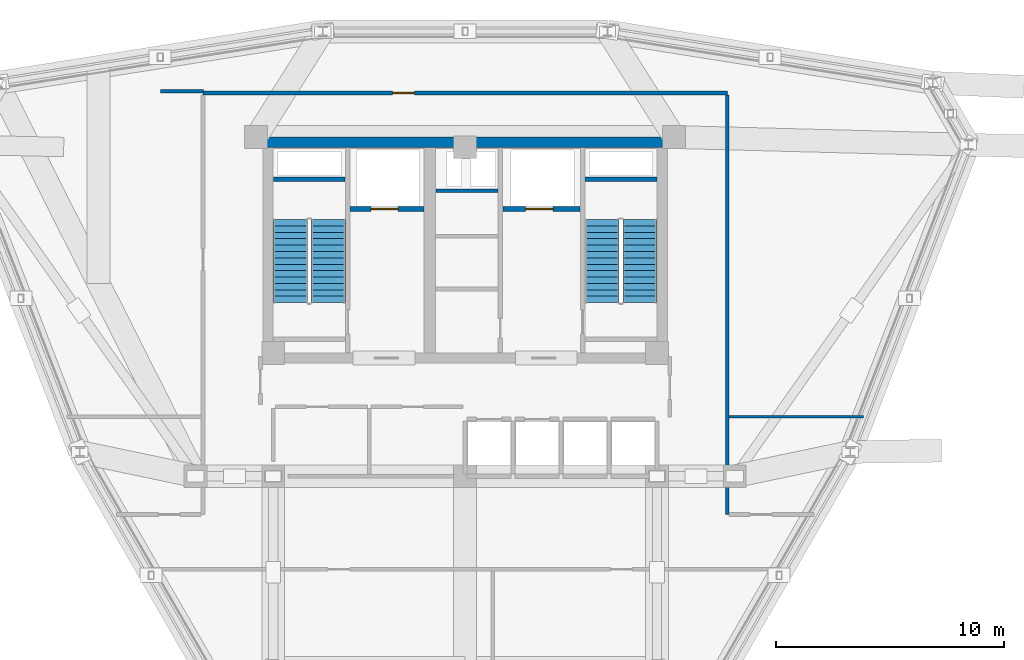
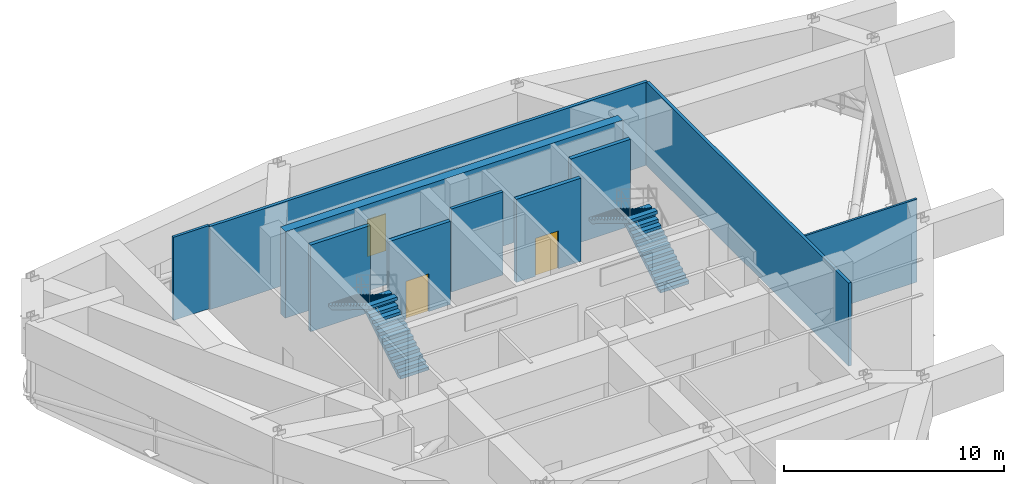
# One storey, part 9 of 12: 10 walls, 4 stair flights, 3 doors, 3 openings, 2 elements without a shape of their own.
"""IFC4 building model written with IfcOpenShell, lengths in metres."""

from ifc_helpers import new_model, si_unit, derived_unit, direction, frame, frame_2d, origin, place, context, subcontext, project, spatial, polyline, rectangle, outline, extrude, material, layer, layer_set, type_object, element, fill, aggregate, save


model = new_model("IFC4")

# Units and contexts
model_context = context("Model", 3, precision=1e-05, world=origin(), true_north=direction((0.0, 1.0)))
body_context = subcontext(model_context, "Body", "Model", "MODEL_VIEW")
ifc_project = project(units=[si_unit("LENGTHUNIT", "METRE"), si_unit("AREAUNIT", "SQUARE_METRE"), si_unit("VOLUMEUNIT", "CUBIC_METRE"), si_unit("PLANEANGLEUNIT", "RADIAN"), si_unit("MASSUNIT", "GRAM", prefix="KILO"), derived_unit("THERMALTRANSMITTANCEUNIT", [(si_unit("POWERUNIT", "WATT"), 1), (si_unit("LENGTHUNIT", "METRE"), -2), (si_unit("THERMODYNAMICTEMPERATUREUNIT", "KELVIN"), -1)])], contexts=[model_context])

# Site, building, storey
site_placement = place(None, origin())
site = spatial("IfcSite", under=ifc_project, at=site_placement, CompositionType="ELEMENT")
building_placement = place(site_placement, origin())
building = spatial("IfcBuilding", under=site, at=building_placement, Name="Korsvarv Bourse and Concert Hall", CompositionType="ELEMENT")
storey_placement = place(building_placement, frame((0.0, 0.0, 201.0)))
storey = spatial("IfcBuildingStorey", under=building, at=storey_placement, Name="L52", CompositionType="ELEMENT", Elevation=201.0)

# Walls
ifc_material_1 = material(Name="Concrete C50/60", Category="concrete")
ifc_layer_1 = layer(ifc_material_1, 0.3798828125)
ifc_layer_set_1 = layer_set([ifc_layer_1], Name="Concrete C50/60")
wall_type_1 = type_object("IfcWallType", Name="WL-CORE-380", PredefinedType="SHEAR", material=ifc_layer_set_1)
for number, where, z_axis, x_axis, name in (
    (1, (27.610107421875, 45.39990234375, 0.0), (0.0, 0.0, 1.0), (1.0, 0.0, 0.0), "L52 stair shaft structural wall W-L52-ST1-N"),
    (2, (41.25, 45.39990234375, 0.0), (0.0, 0.0, 1.0), (1.0, 0.0, 0.0), "L52 stair shaft structural wall W-L52-ST2-N"),
):
    element("IfcWall", number, at=place(storey_placement, frame(where, z_axis=z_axis, x_axis=x_axis)), inside=storey, type_object=wall_type_1, Name=name, PredefinedType="SHEAR", context=body_context, shape_type="SweptSolid", body=[
        extrude(rectangle(XDim=3.139892578125, YDim=0.199951171875, at=frame_2d((1.56982421875, 0.0))), origin(), (0.0, 0.0, 1.0), 4.800048828125),
    ])
ifc_material_2 = material(Name="Concrete C55/67", Category="concrete")
ifc_layer_2 = layer(ifc_material_2, 0.449951171875)
ifc_layer_set_2 = layer_set([ifc_layer_2], Name="Concrete C55/67")
wall_type_2 = type_object("IfcWallType", Name="WL-CORE-450", PredefinedType="SHEAR", material=ifc_layer_set_2)
wall_1_placement = place(storey_placement, frame((27.14990234375, 47.02490234375, 0.0), z_axis=(0.0, 0.0, 1.0), x_axis=(1.0, 0.0, 0.0)))
element("IfcWall", 3, at=wall_1_placement, inside=storey, type_object=wall_type_2, Name="L52 North Core Shear Wall", PredefinedType="SHEAR", context=body_context, shape_type="SweptSolid", body=[
    extrude(rectangle(XDim=17.7001953125, YDim=0.449951171875, at=frame_2d((8.85009765625, 0.0))), origin(), (0.0, 0.0, 1.0), 4.800048828125),
])

# Wall, opening, door
ifc_material_3 = material(Name="Reinforced concrete blockwork C35/45 fire wall", Category="concrete")
ifc_layer_3 = layer(ifc_material_3, 0.199951171875)
ifc_layer_set_3 = layer_set([ifc_layer_3], Name="Reinforced concrete blockwork C35/45 fire wall")
wall_type_3 = type_object("IfcWallType", Name="WL-INT-EI120", PredefinedType="PARTITIONING", material=ifc_layer_set_3)
wall_2_placement = place(storey_placement, frame((30.969970703125, 44.10009765625, 0.0), z_axis=(0.0, 0.0, 1.0), x_axis=(1.0, 0.0, 0.0)))
wall_2 = element("IfcWall", 4, at=wall_2_placement, inside=storey, type_object=wall_type_3, Name="L52 interior partition wall W-L52-FF1-S", PredefinedType="PARTITIONING", context=body_context, shape_type="SweptSolid", body=[
    extrude(rectangle(XDim=3.22998046875, YDim=0.199951171875, at=frame_2d((1.614990234375, 0.0))), origin(), (0.0, 0.0, 1.0), 4.610107421875),
])
opening_1_placement = place(wall_2_placement, frame((0.89990234375, 0.0, 0.0)))
opening_1 = element("IfcOpeningElement", 5, at=opening_1_placement, cuts=wall_2, Name="Opening LD-1", PredefinedType="OPENING", context=body_context, shape_type="SweptSolid", body=[
    extrude(rectangle(XDim=1.199951171875, YDim=2.10009765625, at=frame_2d((0.60009765625, 1.050048828125))), frame((0.0, 0.10986328125, 0.0), z_axis=(0.0, -1.0, 0.0), x_axis=(1.0, 0.0, 0.0)), (0.0, 0.0, 1.0), 0.219970703125),
])
ifc_material_4 = material(Name="Stainless Steel S355 firefighting lift landing door", Category="steel")
door_type_1 = type_object("IfcDoorType", Name="DR-LIFT-FF", OperationType="DOUBLE_DOOR_SLIDING", PredefinedType="DOOR", material=ifc_material_4)
door_1_placement = place(opening_1_placement, origin())
door_1 = element("IfcDoor", 6, at=door_1_placement, inside=storey, type_object=door_type_1, Name="L52 lift sliding landing door LD-L52-FF1", OperationType="DOUBLE_DOOR_SLIDING", OverallHeight=2.10009765625, OverallWidth=1.199951171875, PredefinedType="DOOR", context=body_context, shape_type="SweptSolid", body=[
    extrude(rectangle(XDim=1.199951171875, YDim=2.10009765625, at=frame_2d((0.60009765625, 1.050048828125))), frame((0.0, 0.02490234375, 0.0), z_axis=(0.0, -1.0, 0.0), x_axis=(1.0, 0.0, 0.0)), (0.0, 0.0, 1.0), 0.050048828125),
])
fill(opening_1, door_1)

wall_3_placement = place(storey_placement, frame((37.64990234375, 44.10009765625, 0.0), z_axis=(0.0, 0.0, 1.0), x_axis=(1.0, 0.0, 0.0)))
wall_3 = element("IfcWall", 7, at=wall_3_placement, inside=storey, type_object=wall_type_3, Name="L52 interior partition wall W-L52-FF2-S", PredefinedType="PARTITIONING", context=body_context, shape_type="SweptSolid", body=[
    extrude(rectangle(XDim=3.380126953125, YDim=0.199951171875, at=frame_2d((1.68994140625, 0.0))), origin(), (0.0, 0.0, 1.0), 4.610107421875),
])
opening_2_placement = place(wall_3_placement, frame((1.0, 0.0, 0.0)))
opening_2 = element("IfcOpeningElement", 8, at=opening_2_placement, cuts=wall_3, Name="Opening LD-1", PredefinedType="OPENING", context=body_context, shape_type="SweptSolid", body=[
    extrude(rectangle(XDim=1.199951171875, YDim=2.10009765625, at=frame_2d((0.60009765625, 1.050048828125))), frame((0.0, 0.10986328125, 0.0), z_axis=(0.0, -1.0, 0.0), x_axis=(1.0, 0.0, 0.0)), (0.0, 0.0, 1.0), 0.219970703125),
])
door_2_placement = place(opening_2_placement, origin())
door_2 = element("IfcDoor", 9, at=door_2_placement, inside=storey, type_object=door_type_1, Name="L52 lift sliding landing door LD-L52-FF2", OperationType="DOUBLE_DOOR_SLIDING", OverallHeight=2.10009765625, OverallWidth=1.199951171875, PredefinedType="DOOR", context=body_context, shape_type="SweptSolid", body=[
    extrude(rectangle(XDim=1.199951171875, YDim=2.10009765625, at=frame_2d((0.60009765625, 1.050048828125))), frame((0.0, 0.02490234375, 0.0), z_axis=(0.0, -1.0, 0.0), x_axis=(1.0, 0.0, 0.0)), (0.0, 0.0, 1.0), 0.050048828125),
])
fill(opening_2, door_2)

# Wall
ifc_material_5 = material(Name="Double-stud fire-rated acoustic partition", Category="gypsum")
ifc_layer_4 = layer(ifc_material_5, 0.159912109375)
ifc_layer_set_4 = layer_set([ifc_layer_4], Name="Double-stud fire-rated acoustic partition")
wall_type_4 = type_object("IfcWallType", Name="WL-INT-EI60", PredefinedType="PARTITIONING", material=ifc_layer_set_4)
wall_4_placement = place(storey_placement, frame((34.719970703125, 44.89990234375, 0.0), z_axis=(0.0, 0.0, 1.0), x_axis=(1.0, 0.0, 0.0)))
element("IfcWall", 10, at=wall_4_placement, inside=storey, type_object=wall_type_4, Name="L52 interior partition wall W-L52-K3", PredefinedType="PARTITIONING", context=body_context, shape_type="SweptSolid", body=[
    extrude(rectangle(XDim=2.7099609375, YDim=0.159912109375, at=frame_2d((1.35498046875, 0.0))), origin(), (0.0, 0.0, 1.0), 4.610107421875),
])

# Wall, opening, door
wall_5_placement = place(storey_placement, frame((24.52001953125, 49.175048828125, 0.0), z_axis=(0.0, 0.0, 1.0), x_axis=(1.0, 0.0, 0.0)))
wall_5 = element("IfcWall", 11, at=wall_5_placement, inside=storey, type_object=wall_type_4, Name="L52 interior partition wall W-L52-RCOR-02", PredefinedType="PARTITIONING", context=body_context, shape_type="SweptSolid", body=[
    extrude(rectangle(XDim=22.9599609375, YDim=0.159912109375, at=frame_2d((11.47998046875, 0.0))), origin(), (0.0, 0.0, 1.0), 4.610107421875),
])
opening_3_placement = place(wall_5_placement, frame((8.306884765625, 0.0, 0.0)))
opening_3 = element("IfcOpeningElement", 12, at=opening_3_placement, cuts=wall_5, Name="Opening D-02", PredefinedType="OPENING", context=body_context, shape_type="SweptSolid", body=[
    extrude(rectangle(XDim=0.949951171875, YDim=2.050048828125, at=frame_2d((0.47509765625, 1.02490234375))), frame((0.0, 0.08984375, 0.0), z_axis=(0.0, -1.0, 0.0), x_axis=(1.0, 0.0, 0.0)), (0.0, 0.0, 1.0), 0.179931640625),
])
ifc_material_6 = material(Name="Timber and steel acoustic fire door", Category="wood")
door_type_2 = type_object("IfcDoorType", Name="DR-FD30", OperationType="NOTDEFINED", PredefinedType="DOOR", material=ifc_material_6)
door_3_placement = place(opening_3_placement, origin())
door_3 = element("IfcDoor", 13, at=door_3_placement, inside=storey, type_object=door_type_2, Name="L52 interior door DR-L52-RCOR-REFE4", OperationType="SINGLE_SWING_RIGHT", OverallHeight=2.050048828125, OverallWidth=0.949951171875, PredefinedType="DOOR", context=body_context, shape_type="SweptSolid", body=[
    extrude(rectangle(XDim=0.949951171875, YDim=2.050048828125, at=frame_2d((0.47509765625, 1.02490234375))), frame((0.0, 0.02490234375, 0.0), z_axis=(0.0, -1.0, 0.0), x_axis=(1.0, 0.0, 0.0)), (0.0, 0.0, 1.0), 0.050048828125),
])
fill(opening_3, door_3)

# Walls
wall_6_placement = place(storey_placement, frame((47.47509765625, 30.719970703125, 0.0), z_axis=(0.0, 0.0, 1.0), x_axis=(0.0, 1.0, 0.0)))
element("IfcWall", 14, at=wall_6_placement, inside=storey, type_object=wall_type_4, Name="L52 interior partition wall W-L52-RCOR-04", PredefinedType="PARTITIONING", context=body_context, shape_type="SweptSolid", body=[
    extrude(rectangle(XDim=18.373046875, YDim=0.159912109375, at=frame_2d((9.1865234375, 0.0))), origin(), (0.0, 0.0, 1.0), 4.610107421875),
])
ifc_material_7 = material(Name="Demountable acoustic glass and aluminium dealing partition", Category="aluminium")
ifc_layer_5 = layer(ifc_material_7, 0.110107421875)
ifc_layer_set_5 = layer_set([ifc_layer_5], Name="Demountable acoustic glass and aluminium dealing partition")
wall_type_5 = type_object("IfcWallType", Name="WL-INT-MOV", PredefinedType="MOVABLE", material=ifc_layer_set_5)
wall_7_placement = place(storey_placement, frame((47.556884765625, 35.0048828125, 0.0), z_axis=(0.0, 0.0, 1.0), x_axis=(1.0, 0.0, 0.0)))
element("IfcWall", 15, at=wall_7_placement, inside=storey, type_object=wall_type_5, Name="L52 interior partition wall W-L52-RCOR-09", PredefinedType="MOVABLE", context=body_context, shape_type="SweptSolid", body=[
    extrude(rectangle(XDim=5.8779296875, YDim=0.110107421875, at=frame_2d((2.93896484375, 0.0))), origin(), (0.0, 0.0, 1.0), 4.610107421875),
])
ifc_material_8 = material(Name="Insulated steel-stud office acoustic partition", Category="gypsum")
ifc_layer_6 = layer(ifc_material_8, 0.139892578125)
ifc_layer_set_6 = layer_set([ifc_layer_6], Name="Insulated steel-stud office acoustic partition")
wall_type_6 = type_object("IfcWallType", Name="WL-INT-P1", PredefinedType="PARTITIONING", material=ifc_layer_set_6)
wall_8_placement = place(storey_placement, frame((22.669189453125, 49.2548828125, 0.0), z_axis=(0.0, 0.0, 1.0), x_axis=(1.0, 0.0, 0.0)))
element("IfcWall", 16, at=wall_8_placement, inside=storey, type_object=wall_type_6, Name="L52 interior partition wall W-L52-RCOR-11", PredefinedType="PARTITIONING", context=body_context, shape_type="SweptSolid", body=[
    extrude(rectangle(XDim=1.884033203125, YDim=0.139892578125, at=frame_2d((0.94189453125, 0.0))), origin(), (0.0, 0.0, 1.0), 4.610107421875),
])

# Stair, stair flights
ifc_material_9 = material(Name="Precast concrete C45/55", Category="concrete")
stair_type = type_object("IfcStairType", Name="STR-TYPE-02", PredefinedType="HALF_TURN_STAIR", material=ifc_material_9)
stair_1_placement = place(storey_placement, origin())
stair_1 = element("IfcStair", 17, at=stair_1_placement, inside=storey, type_object=stair_type, Name="L52 Tower West Exit Stair ST-T1", PredefinedType="HALF_TURN_STAIR")
stair_flight_type = type_object("IfcStairFlightType", Name="FLT-TYPE-02", PredefinedType="STRAIGHT", material=ifc_material_9)
stair_flight_1_placement = place(storey_placement, frame((30.010009765625, 40.0, 0.0), z_axis=(0.0, 0.0, 1.0), x_axis=(0.0, 1.0, 0.0)))
stair_flight_1 = element("IfcStairFlight", 18, at=stair_flight_1_placement, type_object=stair_flight_type, Name="ST-T1 flight 1", NumberOfRisers=14, NumberOfTreads=13, PredefinedType="STRAIGHT", RiserHeight=0.171428571, TreadLength=0.28, context=body_context, shape_type="SweptSolid", body=[
    extrude(outline(polyline([(0.0, 0.0), (0.0, 0.17138671875), (0.280029296875, 0.17138671875), (0.280029296875, 0.3427734375), (0.56005859375, 0.3427734375), (0.56005859375, 0.514404296875), (0.840087890625, 0.514404296875), (0.840087890625, 0.685791015625), (1.1201171875, 0.685791015625), (1.1201171875, 0.857177734375), (1.39990234375, 0.857177734375), (1.39990234375, 1.028564453125), (1.679931640625, 1.028564453125), (1.679931640625, 1.199951171875), (1.9599609375, 1.199951171875), (1.9599609375, 1.371337890625), (2.239990234375, 1.371337890625), (2.239990234375, 1.54296875), (2.52001953125, 1.54296875), (2.52001953125, 1.71435546875), (2.800048828125, 1.71435546875), (2.800048828125, 1.8857421875), (3.080078125, 1.8857421875), (3.080078125, 2.05712890625), (3.360107421875, 2.05712890625), (3.360107421875, 2.228515625), (3.639892578125, 2.228515625), (3.639892578125, 2.39990234375), (3.639892578125, 2.052734375), (0.287109375, 0.0), (0.0, 0.0)])), frame((0.0, 0.75, 0.0), z_axis=(0.0, -1.0, 0.0), x_axis=(1.0, 0.0, 0.0)), (0.0, 0.0, 1.0), 1.5),
])
stair_flight_2_placement = place(storey_placement, frame((28.35009765625, 43.639892578125, 2.39990234375), z_axis=(0.0, 0.0, 1.0), x_axis=(0.0, -1.0, 0.0)))
stair_flight_2 = element("IfcStairFlight", 19, at=stair_flight_2_placement, type_object=stair_flight_type, Name="ST-T1 flight 2", NumberOfRisers=14, NumberOfTreads=13, PredefinedType="STRAIGHT", RiserHeight=0.171428571, TreadLength=0.28, context=body_context, shape_type="SweptSolid", body=[
    extrude(outline(polyline([(0.0, 0.0), (0.0, 0.17138671875), (0.280029296875, 0.17138671875), (0.280029296875, 0.3427734375), (0.56005859375, 0.3427734375), (0.56005859375, 0.514404296875), (0.840087890625, 0.514404296875), (0.840087890625, 0.685791015625), (1.1201171875, 0.685791015625), (1.1201171875, 0.857177734375), (1.39990234375, 0.857177734375), (1.39990234375, 1.028564453125), (1.679931640625, 1.028564453125), (1.679931640625, 1.199951171875), (1.9599609375, 1.199951171875), (1.9599609375, 1.371337890625), (2.239990234375, 1.371337890625), (2.239990234375, 1.54296875), (2.52001953125, 1.54296875), (2.52001953125, 1.71435546875), (2.800048828125, 1.71435546875), (2.800048828125, 1.8857421875), (3.080078125, 1.8857421875), (3.080078125, 2.05712890625), (3.360107421875, 2.05712890625), (3.360107421875, 2.228515625), (3.639892578125, 2.228515625), (3.639892578125, 2.39990234375), (3.639892578125, 2.052734375), (0.287109375, 0.0), (0.0, 0.0)])), frame((0.0, 0.75, 0.0), z_axis=(0.0, -1.0, 0.0), x_axis=(1.0, 0.0, 0.0)), (0.0, 0.0, 1.0), 1.5),
])
aggregate(stair_1, [stair_flight_1, stair_flight_2])

stair_2_placement = place(storey_placement, origin())
stair_2 = element("IfcStair", 20, at=stair_2_placement, inside=storey, type_object=stair_type, Name="L52 Tower East Exit Stair ST-T2", PredefinedType="HALF_TURN_STAIR")
stair_flight_3_placement = place(storey_placement, frame((43.64990234375, 40.0, 0.0), z_axis=(0.0, 0.0, 1.0), x_axis=(0.0, 1.0, 0.0)))
stair_flight_3 = element("IfcStairFlight", 21, at=stair_flight_3_placement, type_object=stair_flight_type, Name="ST-T2 flight 1", NumberOfRisers=14, NumberOfTreads=13, PredefinedType="STRAIGHT", RiserHeight=0.171428571, TreadLength=0.28, context=body_context, shape_type="SweptSolid", body=[
    extrude(outline(polyline([(0.0, 0.0), (0.0, 0.17138671875), (0.280029296875, 0.17138671875), (0.280029296875, 0.3427734375), (0.56005859375, 0.3427734375), (0.56005859375, 0.514404296875), (0.840087890625, 0.514404296875), (0.840087890625, 0.685791015625), (1.1201171875, 0.685791015625), (1.1201171875, 0.857177734375), (1.39990234375, 0.857177734375), (1.39990234375, 1.028564453125), (1.679931640625, 1.028564453125), (1.679931640625, 1.199951171875), (1.9599609375, 1.199951171875), (1.9599609375, 1.371337890625), (2.239990234375, 1.371337890625), (2.239990234375, 1.54296875), (2.52001953125, 1.54296875), (2.52001953125, 1.71435546875), (2.800048828125, 1.71435546875), (2.800048828125, 1.8857421875), (3.080078125, 1.8857421875), (3.080078125, 2.05712890625), (3.360107421875, 2.05712890625), (3.360107421875, 2.228515625), (3.639892578125, 2.228515625), (3.639892578125, 2.39990234375), (3.639892578125, 2.052734375), (0.287109375, 0.0), (0.0, 0.0)])), frame((0.0, 0.75, 0.0), z_axis=(0.0, -1.0, 0.0), x_axis=(1.0, 0.0, 0.0)), (0.0, 0.0, 1.0), 1.5),
])
stair_flight_4_placement = place(storey_placement, frame((41.989990234375, 43.639892578125, 2.39990234375), z_axis=(0.0, 0.0, 1.0), x_axis=(0.0, -1.0, 0.0)))
stair_flight_4 = element("IfcStairFlight", 22, at=stair_flight_4_placement, type_object=stair_flight_type, Name="ST-T2 flight 2", NumberOfRisers=14, NumberOfTreads=13, PredefinedType="STRAIGHT", RiserHeight=0.171428571, TreadLength=0.28, context=body_context, shape_type="SweptSolid", body=[
    extrude(outline(polyline([(0.0, 0.0), (0.0, 0.17138671875), (0.280029296875, 0.17138671875), (0.280029296875, 0.3427734375), (0.56005859375, 0.3427734375), (0.56005859375, 0.514404296875), (0.840087890625, 0.514404296875), (0.840087890625, 0.685791015625), (1.1201171875, 0.685791015625), (1.1201171875, 0.857177734375), (1.39990234375, 0.857177734375), (1.39990234375, 1.028564453125), (1.679931640625, 1.028564453125), (1.679931640625, 1.199951171875), (1.9599609375, 1.199951171875), (1.9599609375, 1.371337890625), (2.239990234375, 1.371337890625), (2.239990234375, 1.54296875), (2.52001953125, 1.54296875), (2.52001953125, 1.71435546875), (2.800048828125, 1.71435546875), (2.800048828125, 1.8857421875), (3.080078125, 1.8857421875), (3.080078125, 2.05712890625), (3.360107421875, 2.05712890625), (3.360107421875, 2.228515625), (3.639892578125, 2.228515625), (3.639892578125, 2.39990234375), (3.639892578125, 2.052734375), (0.287109375, 0.0), (0.0, 0.0)])), frame((0.0, 0.75, 0.0), z_axis=(0.0, -1.0, 0.0), x_axis=(1.0, 0.0, 0.0)), (0.0, 0.0, 1.0), 1.5),
])
aggregate(stair_2, [stair_flight_3, stair_flight_4])

save(model, "model.ifc")
